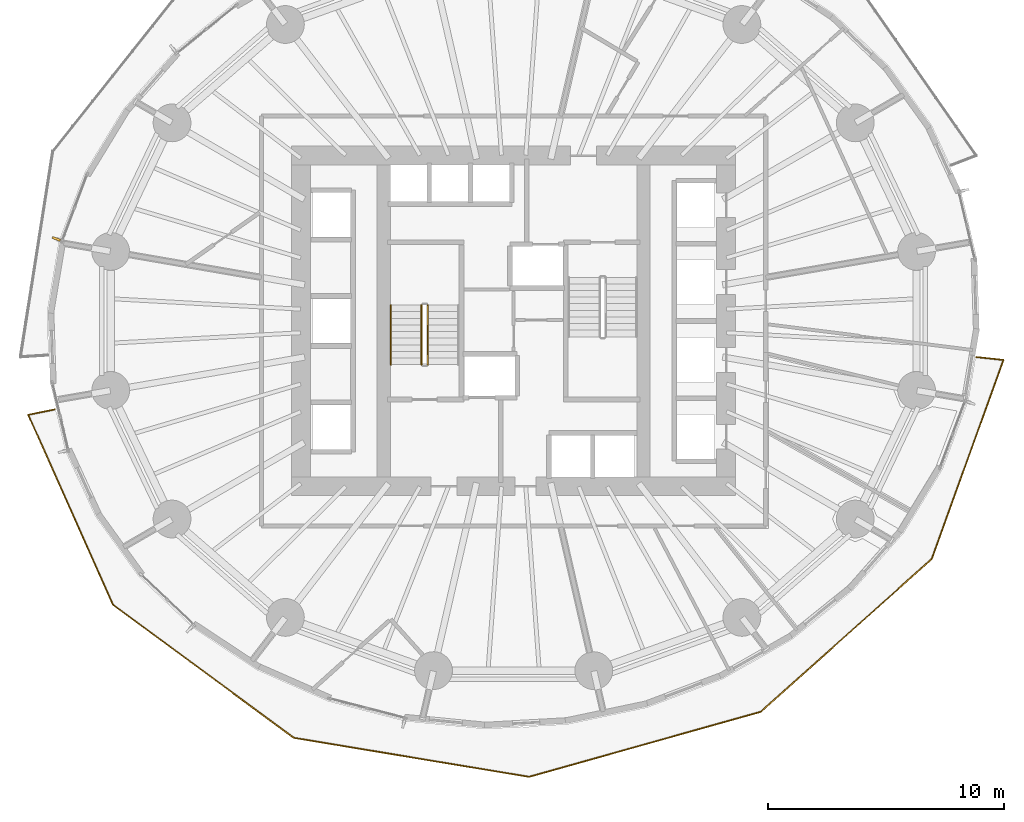
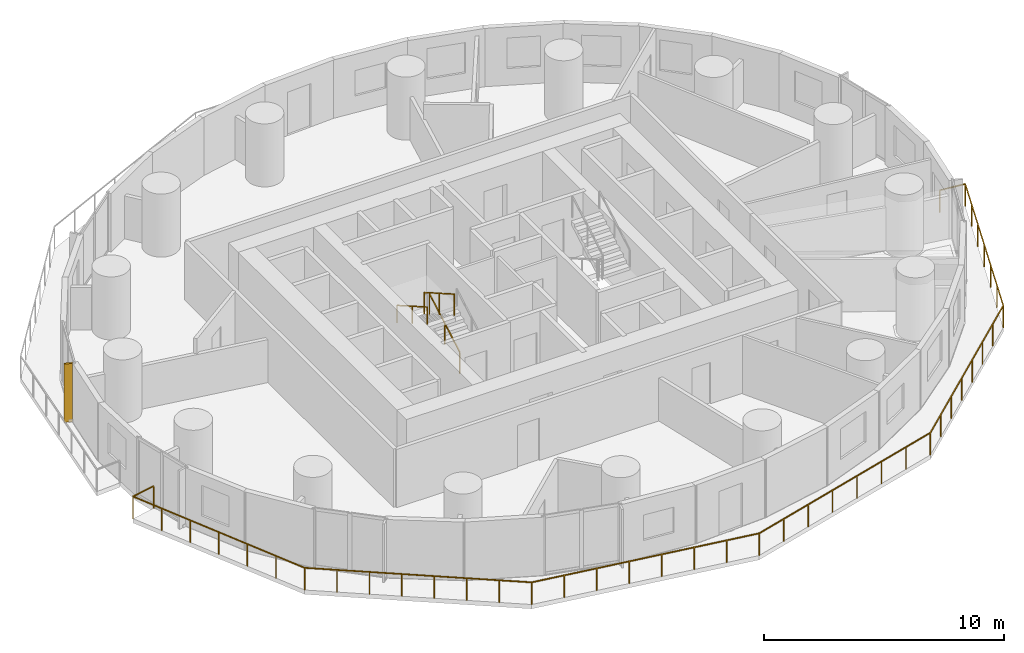
# One storey, part 12 of 14: 4 railings, 1 shading device.
"""IFC4 building model written with IfcOpenShell, lengths in metres."""

from ifc_helpers import new_model, si_unit, direction, frame, origin, origin_2d, place, context, subcontext, project, spatial, rectangle, extrude, material, layer, layer_set, type_object, element, save


model = new_model("IFC4")

# Units and contexts
model_context = context("Model", 3, precision=1e-05, world=origin(), true_north=direction((0.0, 1.0)))
body_context = subcontext(model_context, "Body", "Model", "MODEL_VIEW")
ifc_project = project(units=[si_unit("LENGTHUNIT", "METRE"), si_unit("AREAUNIT", "SQUARE_METRE"), si_unit("VOLUMEUNIT", "CUBIC_METRE"), si_unit("PLANEANGLEUNIT", "RADIAN"), si_unit("MASSUNIT", "GRAM", prefix="KILO")], contexts=[model_context])

# Site, building, storey
site_placement = place(None, origin())
site = spatial("IfcSite", under=ifc_project, at=site_placement, CompositionType="ELEMENT")
building_placement = place(site_placement, origin())
building = spatial("IfcBuilding", under=site, at=building_placement, Name="Veldorim Arch Residences", CompositionType="ELEMENT")
storey_placement = place(building_placement, frame((0.0, 0.0, 37.60009765625)))
storey = spatial("IfcBuildingStorey", under=building, at=storey_placement, Name="L10", CompositionType="ELEMENT", Elevation=37.60009765625)

# Railings
ifc_material_1 = material(Name="Aluminium", Category="aluminium")
railing_type_1 = type_object("IfcRailingType", Name="Balcony & Terrace Laminated Glass Balustrade 1150", PredefinedType="BALUSTRADE", material=ifc_material_1)
railing_1_placement = place(storey_placement, frame((12.56884765625, 20.253662109375, 0.0)))
element("IfcRailing", 1, at=railing_1_placement, inside=storey, type_object=railing_type_1, Name="L10 crescent balcony safety balustrade B", PredefinedType="BALUSTRADE", context=body_context, shape_type="SweptSolid", body=[
    extrude(rectangle(XDim=0.048095703125, YDim=0.048095703125, at=origin_2d()), frame((0.0, 0.0, 1.1259765625), z_axis=(-0.98018677994, -0.198075431164, 0.0), x_axis=(0.198075431164, -0.98018677994, 0.0)), (0.0, 0.0, 1.0), 1.14990234375),
    extrude(rectangle(XDim=0.048095703125, YDim=0.048095703125, at=origin_2d()), frame((-1.127197265625, -0.227783203125, 1.1259765625), z_axis=(0.407703225466, -0.913114494434, 0.0), x_axis=(0.913114494434, 0.407703225466, 0.0)), (0.0, 0.0, 1.0), 8.812744140625),
    extrude(rectangle(XDim=0.048095703125, YDim=0.048095703125, at=origin_2d()), frame((2.4658203125, -8.27490234375, 1.1259765625), z_axis=(0.80521403008, -0.592984287955, 0.0), x_axis=(0.592984287955, 0.80521403008, 0.0)), (0.0, 0.0, 1.0), 9.501953125),
    extrude(rectangle(XDim=0.048095703125, YDim=0.048095703125, at=origin_2d()), frame((10.116943359375, -13.909423828125, 1.1259765625), z_axis=(0.986516409648, -0.163662376542, 0.0), x_axis=(0.163662376542, 0.986516409648, 0.0)), (0.0, 0.0, 1.0), 10.10498046875),
    extrude(rectangle(XDim=0.048095703125, YDim=0.048095703125, at=origin_2d()), frame((20.085693359375, -15.563232421875, 1.1259765625), z_axis=(0.962734160995, 0.270449505921, 0.0), x_axis=(-0.270449505921, 0.962734160995, 0.0)), (0.0, 0.0, 1.0), 10.197265625),
    extrude(rectangle(XDim=0.048095703125, YDim=0.048095703125, at=origin_2d()), frame((29.90283203125, -12.805419921875, 1.1259765625), z_axis=(0.745463588348, 0.666546351312, 0.0), x_axis=(-0.666546351312, 0.745463588348, 0.0)), (0.0, 0.0, 1.0), 9.707763671875),
    extrude(rectangle(XDim=0.048095703125, YDim=0.048095703125, at=origin_2d()), frame((37.1396484375, -6.334716796875, 1.1259765625), z_axis=(0.338993500644, 0.940788715133, 0.0), x_axis=(-0.940788715133, 0.338993500644, 0.0)), (0.0, 0.0, 1.0), 8.959228515625),
    extrude(rectangle(XDim=0.048095703125, YDim=0.048095703125, at=origin_2d()), frame((40.1767578125, 2.093994140625, 1.1259765625), z_axis=(-0.994144958827, 0.108054619697, 0.0), x_axis=(-0.108054619697, -0.994144958827, 0.0)), (0.0, 0.0, 1.0), 1.150146484375),
    extrude(rectangle(XDim=0.0419921875, YDim=0.0419921875, at=origin_2d()), origin(), (0.0, 0.0, 1.0), 1.101806640625),
    extrude(rectangle(XDim=0.0419921875, YDim=0.0419921875, at=origin_2d()), frame((-1.127197265625, -0.227783203125, 0.0)), (0.0, 0.0, 1.0), 1.101806640625),
    extrude(rectangle(XDim=0.0419921875, YDim=0.0419921875, at=origin_2d()), frame((-0.5283203125, -1.56884765625, 0.0)), (0.0, 0.0, 1.0), 1.101806640625),
    extrude(rectangle(XDim=0.0419921875, YDim=0.0419921875, at=origin_2d()), frame((0.070556640625, -2.91015625, 0.0)), (0.0, 0.0, 1.0), 1.101806640625),
    extrude(rectangle(XDim=0.0419921875, YDim=0.0419921875, at=origin_2d()), frame((0.66943359375, -4.25146484375, 0.0)), (0.0, 0.0, 1.0), 1.101806640625),
    extrude(rectangle(XDim=0.0419921875, YDim=0.0419921875, at=origin_2d()), frame((1.26806640625, -5.592529296875, 0.0)), (0.0, 0.0, 1.0), 1.101806640625),
    extrude(rectangle(XDim=0.0419921875, YDim=0.0419921875, at=origin_2d()), frame((1.866943359375, -6.93359375, 0.0)), (0.0, 0.0, 1.0), 1.101806640625),
    extrude(rectangle(XDim=0.0419921875, YDim=0.0419921875, at=origin_2d()), frame((2.4658203125, -8.27490234375, 0.0)), (0.0, 0.0, 1.0), 1.101806640625),
    extrude(rectangle(XDim=0.0419921875, YDim=0.0419921875, at=origin_2d()), frame((3.558837890625, -9.079833984375, 0.0)), (0.0, 0.0, 1.0), 1.101806640625),
    extrude(rectangle(XDim=0.0419921875, YDim=0.0419921875, at=origin_2d()), frame((4.65185546875, -9.884765625, 0.0)), (0.0, 0.0, 1.0), 1.101806640625),
    extrude(rectangle(XDim=0.0419921875, YDim=0.0419921875, at=origin_2d()), frame((5.744873046875, -10.689697265625, 0.0)), (0.0, 0.0, 1.0), 1.101806640625),
    extrude(rectangle(XDim=0.0419921875, YDim=0.0419921875, at=origin_2d()), frame((6.837890625, -11.49462890625, 0.0)), (0.0, 0.0, 1.0), 1.101806640625),
    extrude(rectangle(XDim=0.0419921875, YDim=0.0419921875, at=origin_2d()), frame((7.930908203125, -12.299560546875, 0.0)), (0.0, 0.0, 1.0), 1.101806640625),
    extrude(rectangle(XDim=0.0419921875, YDim=0.0419921875, at=origin_2d()), frame((9.02392578125, -13.1044921875, 0.0)), (0.0, 0.0, 1.0), 1.101806640625),
    extrude(rectangle(XDim=0.0419921875, YDim=0.0419921875, at=origin_2d()), frame((10.116943359375, -13.909423828125, 0.0)), (0.0, 0.0, 1.0), 1.101806640625),
    extrude(rectangle(XDim=0.0419921875, YDim=0.0419921875, at=origin_2d()), frame((11.541015625, -14.145751953125, 0.0)), (0.0, 0.0, 1.0), 1.101806640625),
    extrude(rectangle(XDim=0.0419921875, YDim=0.0419921875, at=origin_2d()), frame((12.965087890625, -14.3818359375, 0.0)), (0.0, 0.0, 1.0), 1.101806640625),
    extrude(rectangle(XDim=0.0419921875, YDim=0.0419921875, at=origin_2d()), frame((14.38916015625, -14.6181640625, 0.0)), (0.0, 0.0, 1.0), 1.101806640625),
    extrude(rectangle(XDim=0.0419921875, YDim=0.0419921875, at=origin_2d()), frame((15.8134765625, -14.8544921875, 0.0)), (0.0, 0.0, 1.0), 1.101806640625),
    extrude(rectangle(XDim=0.0419921875, YDim=0.0419921875, at=origin_2d()), frame((17.237548828125, -15.0908203125, 0.0)), (0.0, 0.0, 1.0), 1.101806640625),
    extrude(rectangle(XDim=0.0419921875, YDim=0.0419921875, at=origin_2d()), frame((18.66162109375, -15.326904296875, 0.0)), (0.0, 0.0, 1.0), 1.101806640625),
    extrude(rectangle(XDim=0.0419921875, YDim=0.0419921875, at=origin_2d()), frame((20.085693359375, -15.563232421875, 0.0)), (0.0, 0.0, 1.0), 1.101806640625),
    extrude(rectangle(XDim=0.0419921875, YDim=0.0419921875, at=origin_2d()), frame((21.488037109375, -15.169189453125, 0.0)), (0.0, 0.0, 1.0), 1.101806640625),
    extrude(rectangle(XDim=0.0419921875, YDim=0.0419921875, at=origin_2d()), frame((22.890625, -14.775390625, 0.0)), (0.0, 0.0, 1.0), 1.101806640625),
    extrude(rectangle(XDim=0.0419921875, YDim=0.0419921875, at=origin_2d()), frame((24.29296875, -14.38134765625, 0.0)), (0.0, 0.0, 1.0), 1.101806640625),
    extrude(rectangle(XDim=0.0419921875, YDim=0.0419921875, at=origin_2d()), frame((25.695556640625, -13.9873046875, 0.0)), (0.0, 0.0, 1.0), 1.101806640625),
    extrude(rectangle(XDim=0.0419921875, YDim=0.0419921875, at=origin_2d()), frame((27.097900390625, -13.59326171875, 0.0)), (0.0, 0.0, 1.0), 1.101806640625),
    extrude(rectangle(XDim=0.0419921875, YDim=0.0419921875, at=origin_2d()), frame((28.50048828125, -13.199462890625, 0.0)), (0.0, 0.0, 1.0), 1.101806640625),
    extrude(rectangle(XDim=0.0419921875, YDim=0.0419921875, at=origin_2d()), frame((29.90283203125, -12.805419921875, 0.0)), (0.0, 0.0, 1.0), 1.101806640625),
    extrude(rectangle(XDim=0.0419921875, YDim=0.0419921875, at=origin_2d()), frame((30.936767578125, -11.881103515625, 0.0)), (0.0, 0.0, 1.0), 1.101806640625),
    extrude(rectangle(XDim=0.0419921875, YDim=0.0419921875, at=origin_2d()), frame((31.970458984375, -10.95654296875, 0.0)), (0.0, 0.0, 1.0), 1.101806640625),
    extrude(rectangle(XDim=0.0419921875, YDim=0.0419921875, at=origin_2d()), frame((33.00439453125, -10.0322265625, 0.0)), (0.0, 0.0, 1.0), 1.101806640625),
    extrude(rectangle(XDim=0.0419921875, YDim=0.0419921875, at=origin_2d()), frame((34.0380859375, -9.10791015625, 0.0)), (0.0, 0.0, 1.0), 1.101806640625),
    extrude(rectangle(XDim=0.0419921875, YDim=0.0419921875, at=origin_2d()), frame((35.072021484375, -8.18359375, 0.0)), (0.0, 0.0, 1.0), 1.101806640625),
    extrude(rectangle(XDim=0.0419921875, YDim=0.0419921875, at=origin_2d()), frame((36.105712890625, -7.259033203125, 0.0)), (0.0, 0.0, 1.0), 1.101806640625),
    extrude(rectangle(XDim=0.0419921875, YDim=0.0419921875, at=origin_2d()), frame((37.1396484375, -6.334716796875, 0.0)), (0.0, 0.0, 1.0), 1.101806640625),
    extrude(rectangle(XDim=0.0419921875, YDim=0.0419921875, at=origin_2d()), frame((37.645751953125, -4.929931640625, 0.0)), (0.0, 0.0, 1.0), 1.101806640625),
    extrude(rectangle(XDim=0.0419921875, YDim=0.0419921875, at=origin_2d()), frame((38.152099609375, -3.525146484375, 0.0)), (0.0, 0.0, 1.0), 1.101806640625),
    extrude(rectangle(XDim=0.0419921875, YDim=0.0419921875, at=origin_2d()), frame((38.658203125, -2.120361328125, 0.0)), (0.0, 0.0, 1.0), 1.101806640625),
    extrude(rectangle(XDim=0.0419921875, YDim=0.0419921875, at=origin_2d()), frame((39.164306640625, -0.715576171875, 0.0)), (0.0, 0.0, 1.0), 1.101806640625),
    extrude(rectangle(XDim=0.0419921875, YDim=0.0419921875, at=origin_2d()), frame((39.670654296875, 0.689208984375, 0.0)), (0.0, 0.0, 1.0), 1.101806640625),
    extrude(rectangle(XDim=0.0419921875, YDim=0.0419921875, at=origin_2d()), frame((40.1767578125, 2.093994140625, 0.0)), (0.0, 0.0, 1.0), 1.101806640625),
    extrude(rectangle(XDim=0.0419921875, YDim=0.0419921875, at=origin_2d()), frame((39.033447265625, 2.21826171875, 0.0)), (0.0, 0.0, 1.0), 1.101806640625),
])
ifc_material_2 = material(Name="Steel S355", Category="steel")
railing_type_2 = type_object("IfcRailingType", Name="Galvanised Steel Stair Safety Guardrail 1100", PredefinedType="GUARDRAIL", material=ifc_material_2)
railing_2_placement = place(storey_placement, frame((28.360107421875, 22.14990234375, 0.159912109375)))
element("IfcRailing", 2, at=railing_2_placement, inside=storey, type_object=railing_type_2, Name="L10 ST-1 stair guard 1", PredefinedType="GUARDRAIL", context=body_context, shape_type="SweptSolid", body=[
    extrude(rectangle(XDim=0.048095703125, YDim=0.048095703125, at=origin_2d()), frame((0.0, 0.0, 1.076171875), z_axis=(0.0, 0.868253494771, 0.496120820787), x_axis=(-1.0, 0.0, 0.0)), (0.0, 0.0, 1.0), 2.90234375),
    extrude(rectangle(XDim=0.0419921875, YDim=0.0419921875, at=origin_2d()), origin(), (0.0, 0.0, 1.0), 1.052001953125),
    extrude(rectangle(XDim=0.0419921875, YDim=0.0419921875, at=origin_2d()), frame((0.0, 1.260009765625, 0.719970703125)), (0.0, 0.0, 1.0), 1.052001953125),
    extrude(rectangle(XDim=0.0419921875, YDim=0.0419921875, at=origin_2d()), frame((0.0, 2.52001953125, 1.43994140625)), (0.0, 0.0, 1.0), 1.052001953125),
])
railing_3_placement = place(storey_placement, frame((28.10009765625, 24.669921875, 1.760009765625)))
element("IfcRailing", 3, at=railing_3_placement, inside=storey, type_object=railing_type_2, Name="L10 ST-1 stair guard 3", PredefinedType="GUARDRAIL", context=body_context, shape_type="SweptSolid", body=[
    extrude(rectangle(XDim=0.048095703125, YDim=0.048095703125, at=origin_2d()), frame((0.0, 0.0, 1.076171875), z_axis=(0.0, -0.868253494771, 0.496120820787), x_axis=(1.0, 0.0, 0.0)), (0.0, 0.0, 1.0), 2.90234375),
    extrude(rectangle(XDim=0.0419921875, YDim=0.0419921875, at=origin_2d()), origin(), (0.0, 0.0, 1.0), 1.052001953125),
    extrude(rectangle(XDim=0.0419921875, YDim=0.0419921875, at=origin_2d()), frame((0.0, -1.260009765625, 0.719970703125)), (0.0, 0.0, 1.0), 1.052001953125),
    extrude(rectangle(XDim=0.0419921875, YDim=0.0419921875, at=origin_2d()), frame((0.0, -2.52001953125, 1.43994140625)), (0.0, 0.0, 1.0), 1.052001953125),
])
ifc_material_3 = material(Name="Stainless Steel", Category="steel")
railing_type_3 = type_object("IfcRailingType", Name="Tubular Steel Continuous Wall Handrail 900", PredefinedType="HANDRAIL", material=ifc_material_3)
railing_4_placement = place(storey_placement, frame((26.800048828125, 24.669921875, 1.760009765625)))
element("IfcRailing", 4, at=railing_4_placement, inside=storey, type_object=railing_type_3, Name="L10 ST-1 stair handrail 2", PredefinedType="HANDRAIL", context=body_context, shape_type="SweptSolid", body=[
    extrude(rectangle(XDim=0.048095703125, YDim=0.048095703125, at=origin_2d()), frame((0.0, 0.0, 0.8759765625), z_axis=(0.0, -0.868253494771, 0.496120820787), x_axis=(1.0, 0.0, 0.0)), (0.0, 0.0, 1.0), 2.90234375),
    extrude(rectangle(XDim=0.0419921875, YDim=0.0419921875, at=origin_2d()), origin(), (0.0, 0.0, 1.0), 0.851806640625),
    extrude(rectangle(XDim=0.0419921875, YDim=0.0419921875, at=origin_2d()), frame((0.0, -1.260009765625, 0.719970703125)), (0.0, 0.0, 1.0), 0.851806640625),
    extrude(rectangle(XDim=0.0419921875, YDim=0.0419921875, at=origin_2d()), frame((0.0, -2.52001953125, 1.43994140625)), (0.0, 0.0, 1.0), 0.851806640625),
])

# Shading device
ifc_material_4 = material(Name="Terracotta Ceramic", Category="masonry")
ifc_layer = layer(ifc_material_4, 0.090087890625, Name="Vertical Extruded Terracotta Baguette Sun-Shading Fin")
ifc_layer_set = layer_set([ifc_layer], Name="Terracotta Ceramic")
shading_device_type = type_object("IfcShadingDeviceType", Name="Vertical Extruded Terracotta Baguette Sun-Shading Fin", PredefinedType="USERDEFINED", material=ifc_layer_set)
shading_device_placement = place(storey_placement, frame((12.632080078125, 27.474853515625, 0.0), z_axis=(0.0, 0.0, 1.0), x_axis=(0.352984997999, 0.935628981588, 0.0)))
element("IfcShadingDevice", 5, at=shading_device_placement, inside=storey, type_object=shading_device_type, Name="L10 vertical terracotta sun-shading fin 16", ObjectType="FIN", PredefinedType="USERDEFINED", context=body_context, shape_type="SweptSolid", body=[
    extrude(rectangle(XDim=0.090087890625, YDim=0.360107421875, at=origin_2d()), origin(), (0.0, 0.0, 1.0), 2.9599609375),
])

save(model, "model.ifc")
